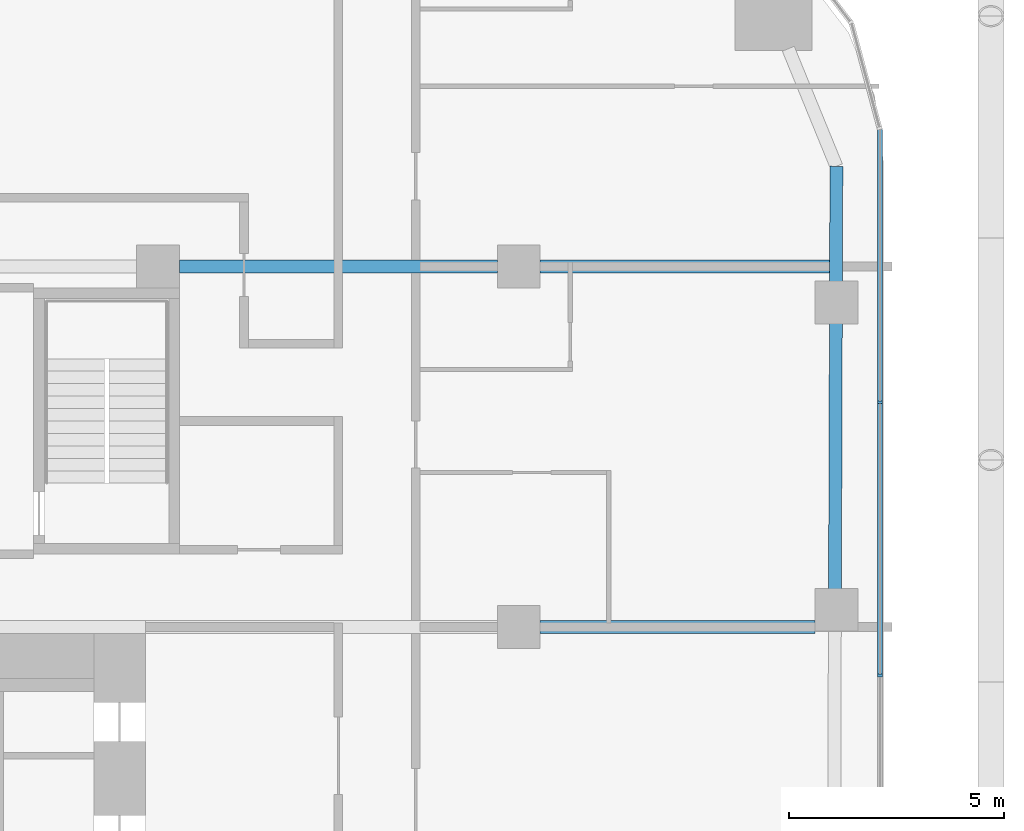
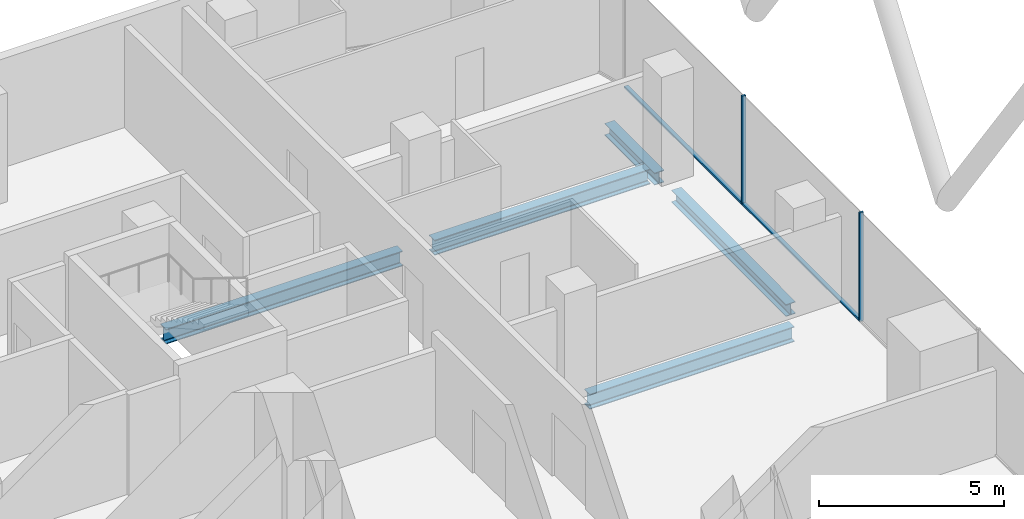
# One storey, part 12 of 35: 5 beams, 4 members, 1 element without a shape of its own.
"""IFC4 building model written with IfcOpenShell, lengths in metres."""

from ifc_helpers import new_model, si_unit, direction, frame, origin, origin_2d, place, context, subcontext, project, spatial, rectangle, i_section, extrude, material, layer, layer_set, material_profile, profile_set, type_object, element, aggregate, save


model = new_model("IFC4")

# Units and contexts
model_context = context("Model", 3, precision=1e-05, world=origin(), true_north=direction((0.0, 1.0)))
body_context = subcontext(model_context, "Body", "Model", "MODEL_VIEW")
ifc_project = project(units=[si_unit("LENGTHUNIT", "METRE"), si_unit("AREAUNIT", "SQUARE_METRE"), si_unit("VOLUMEUNIT", "CUBIC_METRE"), si_unit("PLANEANGLEUNIT", "RADIAN"), si_unit("MASSUNIT", "GRAM", prefix="KILO")], contexts=[model_context])

# Site, building, storey
site_placement = place(None, origin())
site = spatial("IfcSite", under=ifc_project, at=site_placement, CompositionType="ELEMENT")
building_placement = place(site_placement, origin())
building = spatial("IfcBuilding", under=site, at=building_placement, Name="Marenta Gate Hotel Tower", CompositionType="ELEMENT")
storey_placement = place(building_placement, frame((0.0, 0.0, 61.699951171875)))
storey = spatial("IfcBuildingStorey", under=building, at=storey_placement, Name="L13", CompositionType="ELEMENT", Elevation=61.699951171875)

# Beams
ifc_material_1 = material(Name="Steel S355", Category="steel")
ifc_material_profile_1 = material_profile(ifc_material_1, i_section(OverallWidth=0.300048828125, OverallDepth=0.39990234375, WebThickness=0.013427734375, FlangeThickness=0.02392578125, FilletRadius=0.027099609375, at=origin_2d()), Name="HEB 400")
ifc_profile_set_1 = profile_set([ifc_material_profile_1], Name="Steel S355")
beam_type_1 = type_object("IfcBeamType", Name="Edge beam HEB 400", PredefinedType="SPANDREL", material=ifc_profile_set_1)
beam_1_placement = place(storey_placement, frame((28.39990234375, 27.534423828125, -0.4599609375), z_axis=(-0.003323434444, -0.999994477376, 0.0), x_axis=(0.999994477376, -0.003323434444, 0.0)))
element("IfcBeam", 1, at=beam_1_placement, inside=storey, type_object=beam_type_1, Name="L13-EB-22", PredefinedType="SPANDREL", context=body_context, shape_type="SweptSolid", body=[
    extrude(i_section(OverallWidth=0.300048828125, OverallDepth=0.39990234375, WebThickness=0.013427734375, FlangeThickness=0.02392578125, FilletRadius=0.027099609375, at=origin_2d()), origin(), (0.0, 0.0, 1.0), 2.718017578125),
])
beam_2_placement = place(storey_placement, frame((28.387939453125, 23.896484375, -0.4599609375), z_axis=(-0.003329137121, -0.999994458408, 0.0), x_axis=(0.999994458408, -0.003329137121, 0.0)))
element("IfcBeam", 2, at=beam_2_placement, inside=storey, type_object=beam_type_1, Name="L13-EB-23", PredefinedType="SPANDREL", context=body_context, shape_type="SweptSolid", body=[
    extrude(i_section(OverallWidth=0.300048828125, OverallDepth=0.39990234375, WebThickness=0.013427734375, FlangeThickness=0.02392578125, FilletRadius=0.027099609375, at=origin_2d()), origin(), (0.0, 0.0, 1.0), 6.2333984375),
])
ifc_material_2 = material(Name="Steel S355", Category="steel")
ifc_material_profile_2 = material_profile(ifc_material_2, i_section(OverallWidth=0.300048828125, OverallDepth=0.5, WebThickness=0.014404296875, FlangeThickness=0.028076171875, FilletRadius=0.027099609375, at=origin_2d()), Name="HEB 500")
ifc_profile_set_2 = profile_set([ifc_material_profile_2], Name="Steel S355")
beam_type_2 = type_object("IfcBeamType", Name="Girder HEB 500", PredefinedType="BEAM", material=ifc_profile_set_2)
beam_3_placement = place(storey_placement, frame((21.5, 16.800048828125, -0.510009765625), z_axis=(1.0, 0.0, 0.0), x_axis=(0.0, 1.0, 0.0)))
element("IfcBeam", 3, at=beam_3_placement, inside=storey, type_object=beam_type_2, Name="L13-GD-21", PredefinedType="BEAM", context=body_context, shape_type="SweptSolid", body=[
    extrude(i_section(OverallWidth=0.300048828125, OverallDepth=0.5, WebThickness=0.014404296875, FlangeThickness=0.028076171875, FilletRadius=0.027099609375, at=origin_2d()), origin(), (0.0, 0.0, 1.0), 6.39990234375),
])
beam_4_placement = place(storey_placement, frame((13.10009765625, 25.199951171875, -0.510009765625), z_axis=(1.0, 0.0, 0.0), x_axis=(0.0, 1.0, 0.0)))
element("IfcBeam", 4, at=beam_4_placement, inside=storey, type_object=beam_type_2, Name="L13-GD-27", PredefinedType="BEAM", context=body_context, shape_type="SweptSolid", body=[
    extrude(i_section(OverallWidth=0.300048828125, OverallDepth=0.5, WebThickness=0.014404296875, FlangeThickness=0.028076171875, FilletRadius=0.027099609375, at=origin_2d()), origin(), (0.0, 0.0, 1.0), 7.39990234375),
])
beam_5_placement = place(storey_placement, frame((21.5, 25.199951171875, -0.510009765625), z_axis=(1.0, 0.0, 0.0), x_axis=(0.0, 1.0, 0.0)))
element("IfcBeam", 5, at=beam_5_placement, inside=storey, type_object=beam_type_2, Name="L13-GD-28", PredefinedType="BEAM", context=body_context, shape_type="SweptSolid", body=[
    extrude(i_section(OverallWidth=0.300048828125, OverallDepth=0.5, WebThickness=0.014404296875, FlangeThickness=0.028076171875, FilletRadius=0.027099609375, at=origin_2d()), origin(), (0.0, 0.0, 1.0), 6.7421875),
])

# Curtain wall, members
ifc_material_3 = material(Name="Tinted insulated glass in bronze anodised frame", Category="glass")
ifc_layer = layer(ifc_material_3, 0.1201171875)
ifc_layer_set = layer_set([ifc_layer], Name="Tinted insulated glass in bronze anodised frame")
curtain_wall_type = type_object("IfcCurtainWallType", Name="Tower unitised curtain wall CW1", PredefinedType="NOTDEFINED", material=ifc_layer_set)
curtain_wall_placement = place(storey_placement, origin())
curtain_wall = element("IfcCurtainWall", 6, at=curtain_wall_placement, inside=storey, type_object=curtain_wall_type, Name="CW1 run G18", PredefinedType="NOTDEFINED")
ifc_material_4 = material(Name="Bronze anodised aluminium", Category="aluminium")
ifc_material_profile_3 = material_profile(ifc_material_4, rectangle(XDim=0.1201171875, YDim=0.06005859375, at=origin_2d()), Name="Mullion CW1 60x120 bronze anodised aluminium")
ifc_profile_set_3 = profile_set([ifc_material_profile_3], Name="Bronze anodised aluminium")
member_type_1 = type_object("IfcMemberType", Name="Mullion CW1 60x120 bronze anodised aluminium", PredefinedType="MULLION", material=ifc_profile_set_3)
member_1_placement = place(storey_placement, frame((29.4140625, 15.671875, 0.0), z_axis=(0.0, 0.0, 1.0), x_axis=(-1.0, 0.0, 0.0)))
member_1 = element("IfcMember", 7, at=member_1_placement, type_object=member_type_1, Name="CW1 mullion 5", PredefinedType="MULLION", context=body_context, shape_type="SweptSolid", body=[
    extrude(rectangle(XDim=0.1201171875, YDim=0.06005859375, at=origin_2d()), origin(), (0.0, 0.0, 1.0), 3.60009765625),
])
member_2_placement = place(storey_placement, frame((29.4140625, 22.031982421875, 0.0), z_axis=(0.0, 0.0, 1.0), x_axis=(-1.0, 0.0, 0.0)))
member_2 = element("IfcMember", 8, at=member_2_placement, type_object=member_type_1, Name="CW1 mullion 6", PredefinedType="MULLION", context=body_context, shape_type="SweptSolid", body=[
    extrude(rectangle(XDim=0.1201171875, YDim=0.06005859375, at=origin_2d()), origin(), (0.0, 0.0, 1.0), 3.60009765625),
])
ifc_material_5 = material(Name="Bronze anodised aluminium", Category="aluminium")
ifc_material_profile_4 = material_profile(ifc_material_5, rectangle(XDim=0.1201171875, YDim=0.06005859375, at=origin_2d()), Name="Transom CW1 60x120 bronze anodised aluminium")
ifc_profile_set_4 = profile_set([ifc_material_profile_4], Name="Bronze anodised aluminium")
member_type_2 = type_object("IfcMemberType", Name="Transom CW1 60x120 bronze anodised aluminium", PredefinedType="USERDEFINED", material=ifc_profile_set_4)
member_3_placement = place(storey_placement, frame((29.4140625, 15.701904296875, 0.030029296875), z_axis=(0.0, 1.0, 0.0), x_axis=(-1.0, 0.0, 0.0)))
member_3 = element("IfcMember", 9, at=member_3_placement, type_object=member_type_2, Name="CW1 transom 5.1", ObjectType="TRANSOM", PredefinedType="USERDEFINED", context=body_context, shape_type="SweptSolid", body=[
    extrude(rectangle(XDim=0.1201171875, YDim=0.06005859375, at=origin_2d()), origin(), (0.0, 0.0, 1.0), 6.300048828125),
])
member_4_placement = place(storey_placement, frame((29.4140625, 22.06201171875, 0.030029296875), z_axis=(0.0, 1.0, 0.0), x_axis=(-1.0, 0.0, 0.0)))
member_4 = element("IfcMember", 10, at=member_4_placement, type_object=member_type_2, Name="CW1 transom 6.1", ObjectType="TRANSOM", PredefinedType="USERDEFINED", context=body_context, shape_type="SweptSolid", body=[
    extrude(rectangle(XDim=0.1201171875, YDim=0.06005859375, at=origin_2d()), origin(), (0.0, 0.0, 1.0), 6.329833984375),
])
aggregate(curtain_wall, [member_1, member_2, member_3, member_4])

save(model, "model.ifc")
